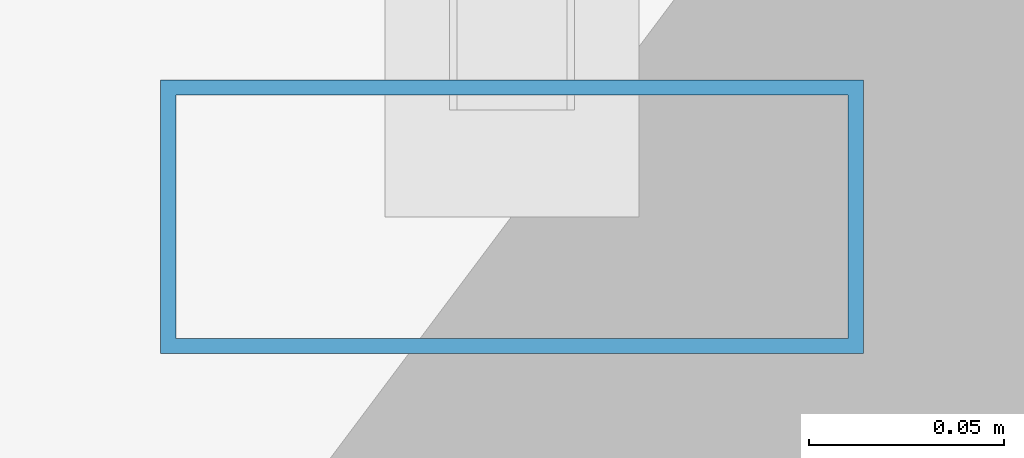
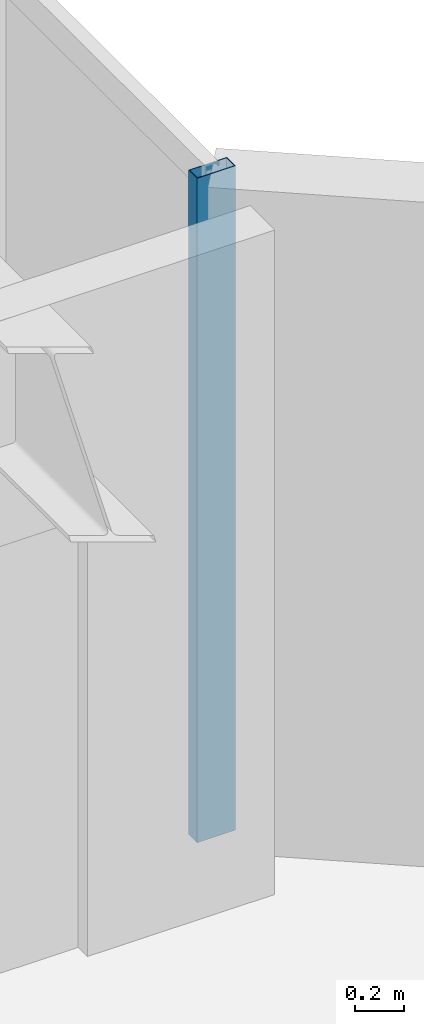
# One storey, part 18 of 29: 1 member, 1 element without a shape of its own.
"""IFC4 building model written with IfcOpenShell, lengths in metres."""

from ifc_helpers import new_model, si_unit, direction, frame, origin, origin_2d, place, context, subcontext, project, spatial, hollow_rectangle, extrude, material, layer, layer_set, material_profile, profile_set, type_object, element, aggregate, save


model = new_model("IFC4")

# Units and contexts
model_context = context("Model", 3, precision=1e-05, world=origin(), true_north=direction((0.0, 1.0)))
body_context = subcontext(model_context, "Body", "Model", "MODEL_VIEW")
ifc_project = project(units=[si_unit("LENGTHUNIT", "METRE"), si_unit("AREAUNIT", "SQUARE_METRE"), si_unit("VOLUMEUNIT", "CUBIC_METRE"), si_unit("PLANEANGLEUNIT", "RADIAN"), si_unit("MASSUNIT", "GRAM", prefix="KILO")], contexts=[model_context])

# Site, building, storey
site_placement = place(None, origin())
site = spatial("IfcSite", under=ifc_project, at=site_placement, CompositionType="ELEMENT")
building_placement = place(site_placement, origin())
building = spatial("IfcBuilding", under=site, at=building_placement, Name="Hatsunagi Terrace Concourse", CompositionType="ELEMENT")
storey_placement = place(building_placement, frame((0.0, 0.0, 178.050048828125)))
storey = spatial("IfcBuildingStorey", under=building, at=storey_placement, Name="L47", CompositionType="ELEMENT", Elevation=178.050048828125)

# Curtain wall, member
ifc_material_1 = material(Name="Anodised Aluminium Alloy 6063-T5", Category="aluminium")
ifc_layer = layer(ifc_material_1, 0.199951171875)
ifc_layer_set = layer_set([ifc_layer], Name="OfficeZone1_CW03")
curtain_wall_type = type_object("IfcCurtainWallType", Name="OfficeZone1_CW03", PredefinedType="NOTDEFINED", material=ifc_layer_set)
curtain_wall_placement = place(storey_placement, origin())
curtain_wall = element("IfcCurtainWall", 1, at=curtain_wall_placement, inside=storey, type_object=curtain_wall_type, Name="Unitised Curtain Wall CW-03 CW-L47-13", PredefinedType="NOTDEFINED")
ifc_material_2 = material(Name="Anodised Aluminium Alloy 6063-T5", Category="aluminium")
ifc_material_profile = material_profile(ifc_material_2, hollow_rectangle(XDim=0.070068359375, YDim=0.179931640625, WallThickness=0.00390625, at=origin_2d()), Name="ALU-MUL-180x70x4")
ifc_profile_set = profile_set([ifc_material_profile], Name="Anodised Aluminium Alloy 6063-T5")
member_type = type_object("IfcMemberType", Name="CurtainWallMullion_180x70", PredefinedType="MULLION", material=ifc_profile_set)
member_placement = place(storey_placement, frame((44.860107421875, 40.72998046875, 0.0), z_axis=(0.0, 0.0, 1.0), x_axis=(0.0, -1.0, 0.0)))
member = element("IfcMember", 2, at=member_placement, type_object=member_type, Name="Curtain Wall Mullion MUL-02", PredefinedType="MULLION", context=body_context, shape_type="SweptSolid", body=[
    extrude(hollow_rectangle(XDim=0.070068359375, YDim=0.179931640625, WallThickness=0.00390625, at=origin_2d()), origin(), (0.0, 0.0, 1.0), 3.300048828125),
])
aggregate(curtain_wall, [member])

save(model, "model.ifc")
